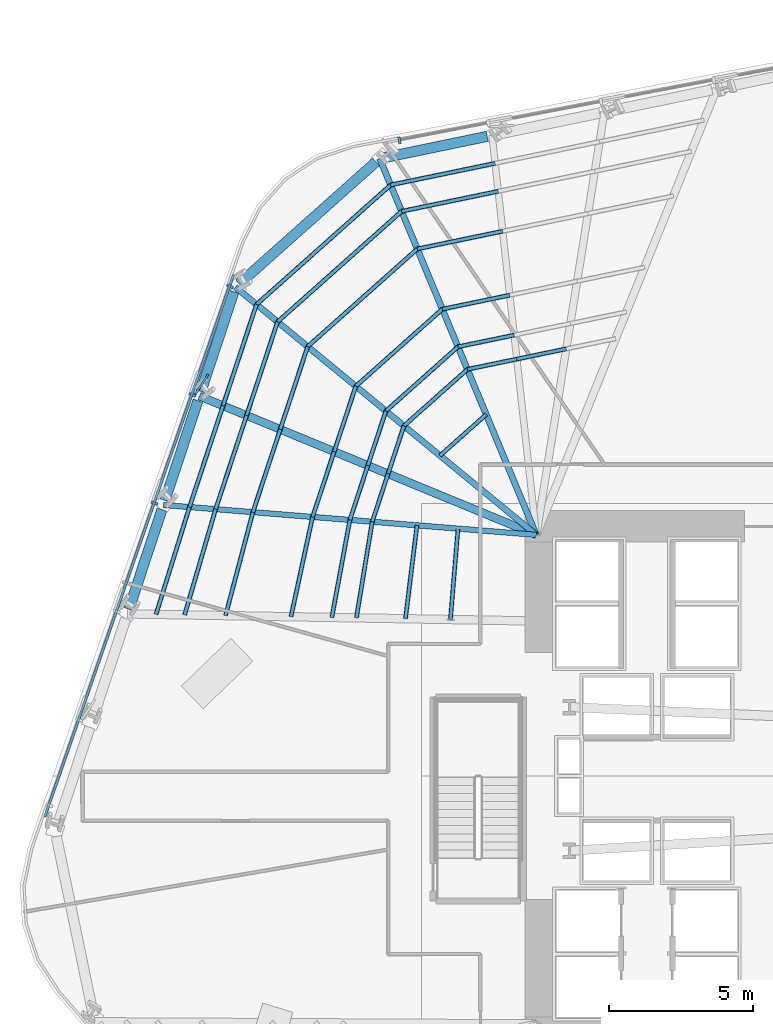
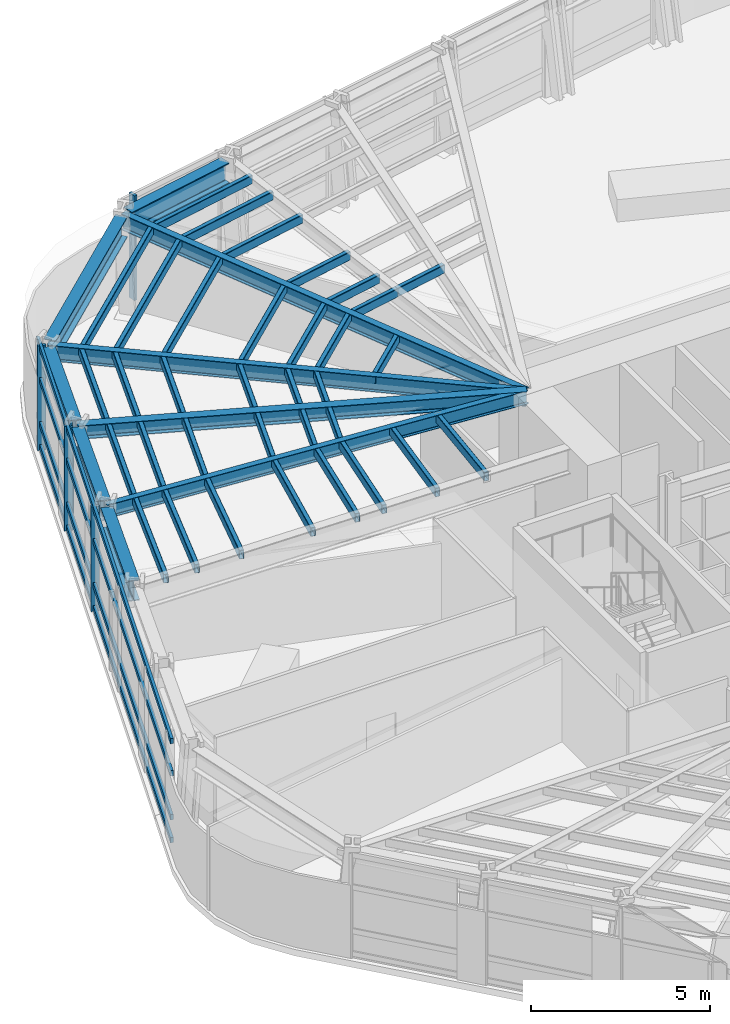
# One storey, part 5 of 18: 43 members, 9 beams, 2 elements without a shape of their own.
"""IFC4 building model written with IfcOpenShell, lengths in metres."""

import ifcopenshell
import ifcopenshell.guid

model = None  # the IFC model being written
_history = None  # IfcOwnerHistory: only IFC2X3 demands one
_inside = {}  # id of a spatial element -> (the spatial element, [elements in it])
_under = {}  # id of a project, library or spatial element -> (it, [spatial elements below it])
_declared = {}  # id of a project -> (the project, [libraries it declares])
_typed = {}  # id of a type object -> (the type object, [elements of that type])
_made_of = {}  # id of a material, layer set ... -> (it, [elements and type objects made of it])


def new_model(schema):
    """Start an empty IFC model of exactly this schema.

    Asked for "IFC4X3", IfcOpenShell would pick the latest addendum, in which some entities
    have other attributes; the version numbers below select the first issue.
    IFC2X3 requires an IfcOwnerHistory on every rooted entity: one is made here for all.
    """
    global model, _history
    if schema == "IFC4X3":
        model = ifcopenshell.file(schema_version=(4, 3, 0, 0))
    else:
        model = ifcopenshell.file(schema=schema)
    _inside.clear()
    _under.clear()
    _declared.clear()
    _typed.clear()
    _made_of.clear()
    _history = None
    if model.schema == "IFC2X3":
        org = make("IfcOrganization", Name="unknown")
        user = make(
            "IfcPersonAndOrganization",
            ThePerson=make("IfcPerson", FamilyName="unknown"),
            TheOrganization=org,
        )
        app = make(
            "IfcApplication",
            ApplicationDeveloper=org,
            Version="unknown",
            ApplicationFullName="unknown",
            ApplicationIdentifier="unknown",
        )
        _history = make(
            "IfcOwnerHistory",
            OwningUser=user,
            OwningApplication=app,
            ChangeAction="ADDED",
            CreationDate=0,
        )
    return model


def make(cls, **values):
    """One entity of the class cls with the attributes given. An attribute that is None is left unset."""
    return model.create_entity(
        cls, **{name: value for name, value in values.items() if value is not None}
    )


def rooted(cls, **values):
    """An entity with a GlobalId (a new one), such as an element, a storey or a relation."""
    return make(cls, GlobalId=ifcopenshell.guid.new(), OwnerHistory=_history, **values)


def si_unit(unit_type, name, prefix=None):
    """IfcSIUnit, for example si_unit("LENGTHUNIT", "METRE", prefix="MILLI")."""
    return make("IfcSIUnit", UnitType=unit_type, Prefix=prefix, Name=name)


def assignment(units):
    """IfcUnitAssignment: the units of a project."""
    return None if units is None else make("IfcUnitAssignment", Units=units)


def point(xyz):
    """IfcCartesianPoint."""
    return None if xyz is None else make("IfcCartesianPoint", Coordinates=xyz)


def direction(xyz):
    """IfcDirection."""
    return None if xyz is None else make("IfcDirection", DirectionRatios=xyz)


def frame(location, z_axis=None, x_axis=None):
    """IfcAxis2Placement3D, a coordinate frame: its origin and axes. An axis left out is left unset."""
    return make(
        "IfcAxis2Placement3D",
        Location=point(location),
        Axis=direction(z_axis),
        RefDirection=direction(x_axis),
    )


def frame_2d(location, x_axis=None):
    """IfcAxis2Placement2D, a coordinate frame in the plane: its origin and x axis."""
    return make(
        "IfcAxis2Placement2D", Location=point(location), RefDirection=direction(x_axis)
    )


def origin():
    """The frame at (0, 0, 0) with its axes left unset."""
    return frame((0.0, 0.0, 0.0))


def origin_2d():
    """The frame at (0, 0) in the plane with its x axis left unset."""
    return frame_2d((0.0, 0.0))


def place(relative_to, where):
    """IfcLocalPlacement: puts the frame where relative to a parent placement (None: the world)."""
    return make(
        "IfcLocalPlacement", PlacementRelTo=relative_to, RelativePlacement=where
    )


def context(
    kind, dimensions, precision=None, world=None, true_north=None, identifier=None
):
    """IfcGeometricRepresentationContext, for example the 3D "Model" context."""
    return make(
        "IfcGeometricRepresentationContext",
        ContextIdentifier=identifier,
        ContextType=kind,
        CoordinateSpaceDimension=dimensions,
        Precision=precision,
        WorldCoordinateSystem=world,
        TrueNorth=true_north,
    )


def subcontext(parent, identifier, kind, view, scale=None):
    """IfcGeometricRepresentationSubContext, for example "Body" below "Model"."""
    return make(
        "IfcGeometricRepresentationSubContext",
        ContextIdentifier=identifier,
        ContextType=kind,
        ParentContext=parent,
        TargetScale=scale,
        TargetView=view,
    )


def project(units=None, contexts=None):
    """IfcProject with its units and contexts."""
    return rooted(
        "IfcProject",
        Name="project",
        RepresentationContexts=contexts,
        UnitsInContext=assignment(units),
    )


def spatial(cls, under=None, at=None, **own):
    """A site, building, storey or space (cls), placed at a placement, below another one or the project."""
    s = rooted(cls, ObjectPlacement=at, **own)
    if under is not None:
        _under.setdefault(under.id(), (under, []))[1].append(s)
    return s


def profile(cls, at=None, kind="AREA", **sizes):
    """A parametric profile (cls). Its sizes go by their IFC names, for example OverallWidth=200.0."""
    return make(cls, ProfileType=kind, Position=at, **sizes)


def rectangle(**sizes):
    """IfcRectangleProfileDef."""
    return profile("IfcRectangleProfileDef", **sizes)


def hollow_rectangle(**sizes):
    """IfcRectangleHollowProfileDef."""
    return profile("IfcRectangleHollowProfileDef", **sizes)


def i_section(**sizes):
    """IfcIShapeProfileDef."""
    return profile("IfcIShapeProfileDef", **sizes)


def extrude(swept, where, along, depth):
    """IfcExtrudedAreaSolid: the profile swept, set in the frame where, extruded along a direction by depth."""
    return make(
        "IfcExtrudedAreaSolid",
        SweptArea=swept,
        Position=where,
        ExtrudedDirection=direction(along),
        Depth=depth,
    )


def shape(context_of_items, identifier, shape_type, items):
    """IfcShapeRepresentation: the items that make up one representation, for example the "Body"."""
    return make(
        "IfcShapeRepresentation",
        ContextOfItems=context_of_items,
        RepresentationIdentifier=identifier,
        RepresentationType=shape_type,
        Items=items,
    )


def material(Name=None, Category=None):
    """IfcMaterial."""
    return make("IfcMaterial", Name=Name, Category=Category)


def layer(
    of_material, thickness, ventilated=None, Name=None, Category=None, Priority=None
):
    """IfcMaterialLayer: one layer of a wall or slab, of a material (None: an air gap)."""
    return make(
        "IfcMaterialLayer",
        Material=of_material,
        LayerThickness=thickness,
        IsVentilated=ventilated,
        Name=Name,
        Category=Category,
        Priority=Priority,
    )


def layer_set(layers, Name=None):
    """IfcMaterialLayerSet."""
    return make("IfcMaterialLayerSet", MaterialLayers=layers, LayerSetName=Name)


def material_profile(
    of_material, cross_section, Name=None, Category=None, Priority=None
):
    """IfcMaterialProfile: a cross section and its material."""
    return make(
        "IfcMaterialProfile",
        Name=Name,
        Material=of_material,
        Profile=cross_section,
        Priority=Priority,
        Category=Category,
    )


def profile_set(profiles, Name=None, composite=None):
    """IfcMaterialProfileSet."""
    return make(
        "IfcMaterialProfileSet",
        Name=Name,
        MaterialProfiles=profiles,
        CompositeProfile=composite,
    )


def made_of(thing, what):
    """Note that an element or type object is made of a material, layer set ...; save() writes the relation."""
    if what is not None:
        _made_of.setdefault(what.id(), (what, []))[1].append(thing)
    return thing


def type_object(cls, material=None, **own):
    """A type object (cls), such as IfcWallType, which elements share."""
    return made_of(rooted(cls, **own), material)


def element(
    cls,
    number,
    at=None,
    inside=None,
    cuts=None,
    type_object=None,
    material=None,
    context=None,
    identifier="Body",
    shape_type=None,
    held_by="IfcProductDefinitionShape",
    body=None,
    shapes=None,
    **own,
):
    """One element of the class cls, such as IfcWall. Its Tag is "e" and its number.

    at: its placement. inside: the storey or other place that contains it. cuts: it is an
    opening in that element (IfcRelVoidsElement). A single representation is given by context,
    identifier, shape_type and body (its items); several are given by shapes. held_by: the class
    of the entity that holds the representations. save() writes the other relations.
    """
    e = rooted(cls, Tag="e%d" % number, ObjectPlacement=at, **own)
    if body is not None:
        shapes = [shape(context, identifier, shape_type, body)]
    if shapes is not None:
        e.Representation = make(held_by, Representations=shapes)
    if inside is not None:
        _inside.setdefault(inside.id(), (inside, []))[1].append(e)
    if cuts is not None:
        rooted(
            "IfcRelVoidsElement", RelatingBuildingElement=cuts, RelatedOpeningElement=e
        )
    if type_object is not None:
        _typed.setdefault(type_object.id(), (type_object, []))[1].append(e)
    return made_of(e, material)


def aggregate(whole, parts):
    """IfcRelAggregates: a whole, such as a stair, and the parts it consists of."""
    return rooted("IfcRelAggregates", RelatingObject=whole, RelatedObjects=parts)


def save(model, path):
    """Write the relations noted so far, then the file.

    IfcRelAggregates (storeys below a building ...), IfcRelContainedInSpatialStructure (elements
    in a storey), IfcRelDefinesByType, IfcRelAssociatesMaterial and IfcRelDeclares: one each for
    every whole, place, type object, material and project.
    """
    for whole, parts in _under.values():
        aggregate(whole, parts)
    for where, things in _inside.values():
        rooted(
            "IfcRelContainedInSpatialStructure",
            RelatedElements=things,
            RelatingStructure=where,
        )
    for kind, things in _typed.values():
        rooted("IfcRelDefinesByType", RelatedObjects=things, RelatingType=kind)
    for what, things in _made_of.values():
        rooted("IfcRelAssociatesMaterial", RelatedObjects=things, RelatingMaterial=what)
    for by, libraries in _declared.values():
        rooted("IfcRelDeclares", RelatingContext=by, RelatedDefinitions=libraries)
    model.write(path)


model = new_model("IFC4")

# Units and contexts
model_context = context("Model", 3, precision=1e-05, world=origin(), true_north=direction((0.0, 1.0)))
body_context = subcontext(model_context, "Body", "Model", "MODEL_VIEW")
ifc_project = project(units=[si_unit("LENGTHUNIT", "METRE"), si_unit("AREAUNIT", "SQUARE_METRE"), si_unit("VOLUMEUNIT", "CUBIC_METRE"), si_unit("PLANEANGLEUNIT", "RADIAN"), si_unit("MASSUNIT", "GRAM", prefix="KILO")], contexts=[model_context])

# Site, building, storey
site_placement = place(None, origin())
site = spatial("IfcSite", under=ifc_project, at=site_placement, CompositionType="ELEMENT")
building_placement = place(site_placement, origin())
building = spatial("IfcBuilding", under=site, at=building_placement, Name="Valkerne Bourse Tower", CompositionType="ELEMENT")
storey_placement = place(building_placement, frame((0.0, 0.0, 69.60009765625)))
storey = spatial("IfcBuildingStorey", under=building, at=storey_placement, Name="L17", CompositionType="ELEMENT", Elevation=69.60009765625)

# Beams
ifc_material_1 = material(Name="Steel ASTM A992", Category="steel")
ifc_material_profile_1 = material_profile(ifc_material_1, i_section(OverallWidth=0.1904296875, OverallDepth=0.457275390625, WebThickness=0.009033203125, FlangeThickness=0.014404296875, FilletRadius=0.01513671875, at=origin_2d()), Name="W18X50")
ifc_profile_set_1 = profile_set([ifc_material_profile_1], Name="Steel ASTM A992")
beam_type_1 = type_object("IfcBeamType", Name="BM-W18X50", PredefinedType="JOIST", material=ifc_profile_set_1)
beam_1_placement = place(storey_placement, frame((24.610595703125, 36.44287109375, 3.351318359375), z_axis=(0.996792003728, -0.080035625222, 0.0), x_axis=(0.080035625222, 0.996792003728, 0.0)))
element("IfcBeam", 1, at=beam_1_placement, inside=storey, type_object=beam_type_1, Name="L17 Radial Composite Floor Beam 14", PredefinedType="JOIST", context=body_context, shape_type="SweptSolid", body=[
    extrude(i_section(OverallWidth=0.1904296875, OverallDepth=0.457275390625, WebThickness=0.009033203125, FlangeThickness=0.014404296875, FilletRadius=0.01513671875, at=origin_2d()), origin(), (0.0, 0.0, 1.0), 13.03125),
])
ifc_material_profile_2 = material_profile(ifc_material_1, i_section(OverallWidth=0.279296875, OverallDepth=0.46240234375, WebThickness=0.0107421875, FlangeThickness=0.017333984375, FilletRadius=0.017822265625, at=origin_2d()), Name="W18X76")
ifc_profile_set_2 = profile_set([ifc_material_profile_2], Name="Steel ASTM A992")
beam_type_2 = type_object("IfcBeamType", Name="BM-W18X76", PredefinedType="BEAM", material=ifc_profile_set_2)
beam_2_placement = place(storey_placement, frame((25.865234375, 40.23681640625, 3.348876953125), z_axis=(0.924541801985, -0.381080642885, 0.0), x_axis=(0.381080642885, 0.924541801985, 0.0)))
element("IfcBeam", 2, at=beam_2_placement, inside=storey, type_object=beam_type_2, Name="L17 Radial Composite Floor Beam 13", PredefinedType="BEAM", context=body_context, shape_type="SweptSolid", body=[
    extrude(i_section(OverallWidth=0.279296875, OverallDepth=0.46240234375, WebThickness=0.0107421875, FlangeThickness=0.017333984375, FilletRadius=0.017822265625, at=origin_2d()), origin(), (0.0, 0.0, 1.0), 12.692626953125),
])
ifc_material_profile_3 = material_profile(ifc_material_1, i_section(OverallWidth=0.209228515625, OverallDepth=0.533447265625, WebThickness=0.01025390625, FlangeThickness=0.015625, FilletRadius=0.017822265625, at=origin_2d()), Name="W21X62")
ifc_profile_set_3 = profile_set([ifc_material_profile_3], Name="Steel ASTM A992")
beam_type_3 = type_object("IfcBeamType", Name="BM-W21X62", PredefinedType="JOIST", material=ifc_profile_set_3)
beam_3_placement = place(storey_placement, frame((27.1201171875, 44.03076171875, 3.313232421875), z_axis=(0.771919853823, -0.635719859115, 0.0), x_axis=(0.635719859115, 0.771919853823, 0.0)))
element("IfcBeam", 3, at=beam_3_placement, inside=storey, type_object=beam_type_3, Name="L17 Radial Composite Floor Beam 12", PredefinedType="JOIST", context=body_context, shape_type="SweptSolid", body=[
    extrude(i_section(OverallWidth=0.209228515625, OverallDepth=0.533447265625, WebThickness=0.01025390625, FlangeThickness=0.015625, FilletRadius=0.017822265625, at=origin_2d()), origin(), (0.0, 0.0, 1.0), 13.576416015625),
])
ifc_material_profile_4 = material_profile(ifc_material_1, i_section(OverallWidth=0.2138671875, OverallDepth=0.548583984375, WebThickness=0.0146484375, FlangeThickness=0.023681640625, FilletRadius=0.017822265625, at=origin_2d()), Name="W21X93")
ifc_profile_set_4 = profile_set([ifc_material_profile_4], Name="Steel ASTM A992")
beam_type_4 = type_object("IfcBeamType", Name="BM-W21X93", PredefinedType="BEAM", material=ifc_profile_set_4)
beam_4_placement = place(storey_placement, frame((32.14404296875, 48.507080078125, 3.3056640625), z_axis=(0.384299116053, -0.923208638067, 0.0), x_axis=(0.923208638067, 0.384299116053, 0.0)))
element("IfcBeam", 4, at=beam_4_placement, inside=storey, type_object=beam_type_4, Name="L17 Radial Composite Floor Beam 11", PredefinedType="BEAM", context=body_context, shape_type="SweptSolid", body=[
    extrude(i_section(OverallWidth=0.2138671875, OverallDepth=0.548583984375, WebThickness=0.0146484375, FlangeThickness=0.023681640625, FilletRadius=0.017822265625, at=origin_2d()), origin(), (0.0, 0.0, 1.0), 14.197509765625),
])
ifc_material_profile_5 = material_profile(ifc_material_1, i_section(OverallWidth=0.358154296875, OverallDepth=0.7060546875, WebThickness=0.018310546875, FlangeThickness=0.0302734375, FilletRadius=0.02294921875, at=origin_2d()), Name="W27X178")
ifc_profile_set_5 = profile_set([ifc_material_profile_5], Name="Steel ASTM A992")
beam_type_5 = type_object("IfcBeamType", Name="BM-W27X178", PredefinedType="SPANDREL", material=ifc_profile_set_5)
beam_5_placement = place(storey_placement, frame((35.890625, 49.282958984375, 3.226806640625), z_axis=(-0.9792197396, -0.202802124193, 0.0), x_axis=(0.202802124193, -0.9792197396, 0.0)))
element("IfcBeam", 5, at=beam_5_placement, inside=storey, type_object=beam_type_5, Name="L17 Hexagonal Spandrel Ring Beam 10", PredefinedType="SPANDREL", context=body_context, shape_type="SweptSolid", body=[
    extrude(i_section(OverallWidth=0.358154296875, OverallDepth=0.7060546875, WebThickness=0.018310546875, FlangeThickness=0.0302734375, FilletRadius=0.02294921875, at=origin_2d()), origin(), (0.0, 0.0, 1.0), 3.656005859375),
])
beam_6_placement = place(storey_placement, frame((32.01708984375, 48.393798828125, 3.226806640625), z_axis=(-0.746649835567, -0.665217275068, 0.0), x_axis=(0.665217275068, -0.746649835567, 0.0)))
element("IfcBeam", 6, at=beam_6_placement, inside=storey, type_object=beam_type_5, Name="L17 Hexagonal Spandrel Ring Beam 11", PredefinedType="SPANDREL", context=body_context, shape_type="SweptSolid", body=[
    extrude(i_section(OverallWidth=0.358154296875, OverallDepth=0.7060546875, WebThickness=0.018310546875, FlangeThickness=0.0302734375, FilletRadius=0.02294921875, at=origin_2d()), origin(), (0.0, 0.0, 1.0), 6.388916015625),
])
for number, where, z_axis, x_axis, name in (
    (7, (27.066650390625, 43.869384765625, 3.226806640625), (-0.31398319058, -0.949428541826, 0.0), (0.949428541826, -0.31398319058, 0.0), "L17 Hexagonal Spandrel Ring Beam 12"),
    (8, (25.81201171875, 40.075439453125, 3.226806640625), (-0.31398319058, -0.949428541826, 0.0), (0.949428541826, -0.31398319058, 0.0), "L17 Hexagonal Spandrel Ring Beam 13"),
    (9, (24.55712890625, 36.281494140625, 3.226806640625), (-0.31398319058, -0.949428541826, 0.0), (0.949428541826, -0.31398319058, 0.0), "L17 Hexagonal Spandrel Ring Beam 14"),
):
    element("IfcBeam", number, at=place(storey_placement, frame(where, z_axis=z_axis, x_axis=x_axis)), inside=storey, type_object=beam_type_5, Name=name, PredefinedType="SPANDREL", context=body_context, shape_type="SweptSolid", body=[
        extrude(i_section(OverallWidth=0.358154296875, OverallDepth=0.7060546875, WebThickness=0.018310546875, FlangeThickness=0.0302734375, FilletRadius=0.02294921875, at=origin_2d()), origin(), (0.0, 0.0, 1.0), 3.656005859375),
    ])

# Curtain wall, member
ifc_material_2 = material(Name="Aluminium AA 6063-T6", Category="aluminium")
ifc_layer = layer(ifc_material_2, 0.22509765625)
ifc_layer_set = layer_set([ifc_layer], Name="Aluminium AA 6063-T6")
curtain_wall_type = type_object("IfcCurtainWallType", Name="CW-01", PredefinedType="NOTDEFINED", material=ifc_layer_set)
curtain_wall_1_placement = place(storey_placement, origin())
curtain_wall_1 = element("IfcCurtainWall", 10, at=curtain_wall_1_placement, inside=storey, type_object=curtain_wall_type, Name="L17 Hexagonal Stick Curtain Wall Face 2", PredefinedType="NOTDEFINED")
ifc_material_profile_6 = material_profile(ifc_material_2, rectangle(XDim=0.090087890625, YDim=0.239990234375, at=origin_2d()), Name="CWM-90X240")
ifc_profile_set_6 = profile_set([ifc_material_profile_6], Name="Aluminium AA 6063-T6")
member_type_1 = type_object("IfcMemberType", Name="CW-MUL-240X90", PredefinedType="MULLION", material=ifc_profile_set_6)
member_1_placement = place(storey_placement, frame((32.83251953125, 49.147216796875, 0.0), z_axis=(0.0, 0.0, 1.0), x_axis=(-0.982285958477, -0.187388088679, 0.0)))
member_1 = element("IfcMember", 11, at=member_1_placement, type_object=member_type_1, Name="CW-L17-F2 Jamb Mullion 04B", PredefinedType="MULLION", context=body_context, shape_type="SweptSolid", body=[
    extrude(rectangle(XDim=0.090087890625, YDim=0.239990234375, at=origin_2d()), origin(), (0.0, 0.0, 1.0), 3.579833984375),
])
aggregate(curtain_wall_1, [member_1])

# Curtain wall, members
curtain_wall_2_placement = place(storey_placement, origin())
curtain_wall_2 = element("IfcCurtainWall", 12, at=curtain_wall_2_placement, inside=storey, type_object=curtain_wall_type, Name="L17 Hexagonal Stick Curtain Wall Face 3", PredefinedType="NOTDEFINED")
member_2_placement = place(storey_placement, frame((26.9306640625, 44.052978515625, 0.0), z_axis=(0.0, 0.0, 1.0), x_axis=(-0.328857411624, -0.944379586194, 0.0)))
member_2 = element("IfcMember", 13, at=member_2_placement, type_object=member_type_1, Name="CW-L17-F3 Jamb Mullion 00A", PredefinedType="MULLION", context=body_context, shape_type="SweptSolid", body=[
    extrude(rectangle(XDim=0.090087890625, YDim=0.239990234375, at=origin_2d()), origin(), (0.0, 0.0, 1.0), 3.579833984375),
])
member_3_placement = place(storey_placement, frame((25.61669921875, 40.279296875, 0.0), z_axis=(0.0, 0.0, 1.0), x_axis=(-0.328879730217, -0.944371813987, 0.0)))
member_3 = element("IfcMember", 14, at=member_3_placement, type_object=member_type_1, Name="CW-L17-F3 Jamb Mullion 01A", PredefinedType="MULLION", context=body_context, shape_type="SweptSolid", body=[
    extrude(rectangle(XDim=0.090087890625, YDim=0.239990234375, at=origin_2d()), origin(), (0.0, 0.0, 1.0), 3.579833984375),
])
member_4_placement = place(storey_placement, frame((24.302490234375, 36.505615234375, 0.0), z_axis=(0.0, 0.0, 1.0), x_axis=(-0.328849639785, -0.944382292514, 0.0)))
member_4 = element("IfcMember", 15, at=member_4_placement, type_object=member_type_1, Name="CW-L17-F3 Jamb Mullion 02A", PredefinedType="MULLION", context=body_context, shape_type="SweptSolid", body=[
    extrude(rectangle(XDim=0.090087890625, YDim=0.239990234375, at=origin_2d()), origin(), (0.0, 0.0, 1.0), 3.579833984375),
])
ifc_material_profile_7 = material_profile(ifc_material_2, rectangle(XDim=0.090087890625, YDim=0.179931640625, at=origin_2d()), Name="CWT-90X180")
ifc_profile_set_7 = profile_set([ifc_material_profile_7], Name="Aluminium AA 6063-T6")
member_type_2 = type_object("IfcMemberType", Name="CW-TRN-180X90", PredefinedType="USERDEFINED", material=ifc_profile_set_7)
member_5_placement = place(storey_placement, frame((27.0498046875, 44.4560546875, 0.119873046875), z_axis=(-0.328857571892, -0.944379530385, 0.0), x_axis=(0.944379530385, -0.328857571892, 0.0)))
member_5 = element("IfcMember", 16, at=member_5_placement, type_object=member_type_2, Name="CW-L17-F3 Continuous Face Transom 1", ObjectType="TRANSOM", PredefinedType="USERDEFINED", context=body_context, shape_type="SweptSolid", body=[
    extrude(rectangle(XDim=0.090087890625, YDim=0.179931640625, at=origin_2d()), origin(), (0.0, 0.0, 1.0), 19.97998046875),
])
member_6_placement = place(storey_placement, frame((27.0498046875, 44.4560546875, 0.89990234375), z_axis=(-0.328857571892, -0.944379530385, 0.0), x_axis=(0.944379530385, -0.328857571892, 0.0)))
member_6 = element("IfcMember", 17, at=member_6_placement, type_object=member_type_2, Name="CW-L17-F3 Continuous Face Transom 2", ObjectType="TRANSOM", PredefinedType="USERDEFINED", context=body_context, shape_type="SweptSolid", body=[
    extrude(rectangle(XDim=0.090087890625, YDim=0.179931640625, at=origin_2d()), origin(), (0.0, 0.0, 1.0), 19.97998046875),
])
member_7_placement = place(storey_placement, frame((27.0498046875, 44.4560546875, 2.39990234375), z_axis=(-0.328857571892, -0.944379530385, 0.0), x_axis=(0.944379530385, -0.328857571892, 0.0)))
member_7 = element("IfcMember", 18, at=member_7_placement, type_object=member_type_2, Name="CW-L17-F3 Continuous Face Transom 3", ObjectType="TRANSOM", PredefinedType="USERDEFINED", context=body_context, shape_type="SweptSolid", body=[
    extrude(rectangle(XDim=0.090087890625, YDim=0.179931640625, at=origin_2d()), origin(), (0.0, 0.0, 1.0), 19.97998046875),
])
member_8_placement = place(storey_placement, frame((27.0498046875, 44.4560546875, 3.5), z_axis=(-0.328857571892, -0.944379530385, 0.0), x_axis=(0.944379530385, -0.328857571892, 0.0)))
member_8 = element("IfcMember", 19, at=member_8_placement, type_object=member_type_2, Name="CW-L17-F3 Continuous Face Transom 4", ObjectType="TRANSOM", PredefinedType="USERDEFINED", context=body_context, shape_type="SweptSolid", body=[
    extrude(rectangle(XDim=0.090087890625, YDim=0.179931640625, at=origin_2d()), origin(), (0.0, 0.0, 1.0), 19.97998046875),
])
aggregate(curtain_wall_2, [member_5, member_6, member_7, member_8, member_2, member_3, member_4])

# Members
ifc_material_3 = material(Name="Bronze Anodised Aluminium AA 6063-T6", Category="aluminium")
ifc_material_profile_8 = material_profile(ifc_material_3, rectangle(XDim=0.070068359375, YDim=0.89990234375, at=origin_2d()), Name="FIN-70X900")
ifc_profile_set_8 = profile_set([ifc_material_profile_8], Name="Bronze Anodised Aluminium AA 6063-T6")
member_type_3 = type_object("IfcMemberType", Name="FIN-SOLAR-900", PredefinedType="USERDEFINED", material=ifc_profile_set_8)
member_9_placement = place(storey_placement, frame((25.9248046875, 40.61669921875, 0.00390625), z_axis=(0.0, 0.0, 1.0), x_axis=(-0.837563623822, 0.546339799072, 0.0)))
element("IfcMember", 20, at=member_9_placement, inside=storey, type_object=member_type_3, Name="L17 Bronze Anodised Solar Fin F3-01", ObjectType="SOLAR_FIN", PredefinedType="USERDEFINED", context=body_context, shape_type="SweptSolid", body=[
    extrude(rectangle(XDim=0.070068359375, YDim=0.89990234375, at=origin_2d()), origin(), (0.0, 0.0, 1.0), 3.572021484375),
])
ifc_material_4 = material(Name="Steel ASTM A500 Grade C", Category="steel")
ifc_material_profile_9 = material_profile(ifc_material_4, hollow_rectangle(XDim=0.14990234375, YDim=0.300048828125, WallThickness=0.012451171875, OuterFilletRadius=0.02490234375, at=origin_2d()), Name="HSS300X150X12.5")
ifc_profile_set_9 = profile_set([ifc_material_profile_9], Name="Steel ASTM A500 Grade C")
member_type_4 = type_object("IfcMemberType", Name="MBR-HSS300X150X12.5", PredefinedType="PURLIN", material=ifc_profile_set_9)
member_10_placement = place(storey_placement, frame((35.85400390625, 39.59423828125, 3.419921875), z_axis=(-0.746639364221, -0.665229028077, 0.0), x_axis=(0.665229028077, -0.746639364221, 0.0)))
element("IfcMember", 21, at=member_10_placement, inside=storey, type_object=member_type_4, Name="L17 Secondary Composite Floor Purlin I-11", PredefinedType="PURLIN", context=body_context, shape_type="SweptSolid", body=[
    extrude(hollow_rectangle(XDim=0.14990234375, YDim=0.300048828125, WallThickness=0.012451171875, OuterFilletRadius=0.02490234375, at=origin_2d()), origin(), (0.0, 0.0, 1.0), 2.1533203125),
])
member_11_placement = place(storey_placement, frame((33.443359375, 35.733642578125, 3.419921875), z_axis=(-0.122421530143, -0.992478195709, 0.0), x_axis=(0.992478195709, -0.122421530143, 0.0)))
element("IfcMember", 22, at=member_11_placement, inside=storey, type_object=member_type_4, Name="L17 Secondary Composite Floor Purlin I-14", PredefinedType="PURLIN", context=body_context, shape_type="SweptSolid", body=[
    extrude(hollow_rectangle(XDim=0.14990234375, YDim=0.300048828125, WallThickness=0.012451171875, OuterFilletRadius=0.02490234375, at=origin_2d()), origin(), (0.0, 0.0, 1.0), 3.278564453125),
])
for number, where, z_axis, x_axis, name in (
    (23, (38.642822265625, 41.880126953125, 3.419921875), (-0.979233810936, -0.202734169592, 0.0), (0.202734169592, -0.979233810936, 0.0), "L17 Secondary Composite Floor Purlin K-09"),
    (24, (36.921142578125, 41.523681640625, 3.419921875), (-0.97920623579, -0.202867315725, 0.0), (0.202867315725, -0.97920623579, 0.0), "L17 Secondary Composite Floor Purlin K-10"),
):
    element("IfcMember", number, at=place(storey_placement, frame(where, z_axis=z_axis, x_axis=x_axis)), inside=storey, type_object=member_type_4, Name=name, PredefinedType="PURLIN", context=body_context, shape_type="SweptSolid", body=[
        extrude(hollow_rectangle(XDim=0.14990234375, YDim=0.300048828125, WallThickness=0.012451171875, OuterFilletRadius=0.02490234375, at=origin_2d()), origin(), (0.0, 0.0, 1.0), 1.75830078125),
    ])
member_12_placement = place(storey_placement, frame((35.199462890625, 41.1669921875, 3.419921875), z_axis=(-0.746667289729, -0.665197683737, 0.0), x_axis=(0.665197683737, -0.746667289729, 0.0)))
element("IfcMember", 25, at=member_12_placement, inside=storey, type_object=member_type_4, Name="L17 Secondary Composite Floor Purlin K-11", PredefinedType="PURLIN", context=body_context, shape_type="SweptSolid", body=[
    extrude(hollow_rectangle(XDim=0.14990234375, YDim=0.300048828125, WallThickness=0.012451171875, OuterFilletRadius=0.02490234375, at=origin_2d()), origin(), (0.0, 0.0, 1.0), 2.960693359375),
])
member_13_placement = place(storey_placement, frame((32.98876953125, 39.197509765625, 3.419921875), z_axis=(-0.31397723902, -0.949430510031, 0.0), x_axis=(0.949430510031, -0.31397723902, 0.0)))
element("IfcMember", 26, at=member_13_placement, inside=storey, type_object=member_type_4, Name="L17 Secondary Composite Floor Purlin K-12", PredefinedType="PURLIN", context=body_context, shape_type="SweptSolid", body=[
    extrude(hollow_rectangle(XDim=0.14990234375, YDim=0.300048828125, WallThickness=0.012451171875, OuterFilletRadius=0.02490234375, at=origin_2d()), origin(), (0.0, 0.0, 1.0), 1.758056640625),
])
member_14_placement = place(storey_placement, frame((32.436767578125, 37.5283203125, 3.419921875), z_axis=(-0.313935848124, -0.949444197024, 0.0), x_axis=(0.949444197024, -0.313935848124, 0.0)))
element("IfcMember", 27, at=member_14_placement, inside=storey, type_object=member_type_4, Name="L17 Secondary Composite Floor Purlin K-13", PredefinedType="PURLIN", context=body_context, shape_type="SweptSolid", body=[
    extrude(hollow_rectangle(XDim=0.14990234375, YDim=0.300048828125, WallThickness=0.012451171875, OuterFilletRadius=0.02490234375, at=origin_2d()), origin(), (0.0, 0.0, 1.0), 1.75830078125),
])
member_15_placement = place(storey_placement, frame((31.884765625, 35.85888671875, 3.419921875), z_axis=(-0.162684308324, -0.986678172367, 0.0), x_axis=(0.986678172367, -0.162684308324, 0.0)))
element("IfcMember", 28, at=member_15_placement, inside=storey, type_object=member_type_4, Name="L17 Secondary Composite Floor Purlin K-14", PredefinedType="PURLIN", context=body_context, shape_type="SweptSolid", body=[
    extrude(hollow_rectangle(XDim=0.14990234375, YDim=0.300048828125, WallThickness=0.012451171875, OuterFilletRadius=0.02490234375, at=origin_2d()), origin(), (0.0, 0.0, 1.0), 3.39453125),
])
member_16_placement = place(storey_placement, frame((36.82861328125, 42.358642578125, 3.419921875), z_axis=(-0.97923784225, -0.202714696817, 0.0), x_axis=(0.202714696817, -0.97923784225, 0.0)))
element("IfcMember", 29, at=member_16_placement, inside=storey, type_object=member_type_4, Name="L17 Secondary Composite Floor Purlin M-10", PredefinedType="PURLIN", context=body_context, shape_type="SweptSolid", body=[
    extrude(hollow_rectangle(XDim=0.14990234375, YDim=0.300048828125, WallThickness=0.012451171875, OuterFilletRadius=0.02490234375, at=origin_2d()), origin(), (0.0, 0.0, 1.0), 1.998046875),
])
member_17_placement = place(storey_placement, frame((34.8720703125, 41.95361328125, 3.419921875), z_axis=(-0.746608072787, -0.665264147275, 0.0), x_axis=(0.665264147275, -0.746608072787, 0.0)))
element("IfcMember", 30, at=member_17_placement, inside=storey, type_object=member_type_4, Name="L17 Secondary Composite Floor Purlin M-11", PredefinedType="PURLIN", context=body_context, shape_type="SweptSolid", body=[
    extrude(hollow_rectangle(XDim=0.14990234375, YDim=0.300048828125, WallThickness=0.012451171875, OuterFilletRadius=0.02490234375, at=origin_2d()), origin(), (0.0, 0.0, 1.0), 3.364501953125),
])
for number, where, z_axis, x_axis, name in (
    (31, (32.360107421875, 39.71533203125, 3.419921875), (-0.314027501758, -0.949413886637, 0.0), (0.949413886637, -0.314027501758, 0.0), "L17 Secondary Composite Floor Purlin M-12"),
    (32, (31.732666015625, 37.818359375, 3.419921875), (-0.314027501758, -0.949413886637, 0.0), (0.949413886637, -0.314027501758, 0.0), "L17 Secondary Composite Floor Purlin M-13"),
):
    element("IfcMember", number, at=place(storey_placement, frame(where, z_axis=z_axis, x_axis=x_axis)), inside=storey, type_object=member_type_4, Name=name, PredefinedType="PURLIN", context=body_context, shape_type="SweptSolid", body=[
        extrude(hollow_rectangle(XDim=0.14990234375, YDim=0.300048828125, WallThickness=0.012451171875, OuterFilletRadius=0.02490234375, at=origin_2d()), origin(), (0.0, 0.0, 1.0), 1.998046875),
    ])
member_18_placement = place(storey_placement, frame((31.105224609375, 35.92138671875, 3.419921875), z_axis=(-0.181633698848, -0.983366259053, 0.0), x_axis=(0.983366259053, -0.181633698848, 0.0)))
element("IfcMember", 33, at=member_18_placement, inside=storey, type_object=member_type_4, Name="L17 Secondary Composite Floor Purlin M-14", PredefinedType="PURLIN", context=body_context, shape_type="SweptSolid", body=[
    extrude(hollow_rectangle(XDim=0.14990234375, YDim=0.300048828125, WallThickness=0.012451171875, OuterFilletRadius=0.02490234375, at=origin_2d()), origin(), (0.0, 0.0, 1.0), 3.454345703125),
])
member_19_placement = place(storey_placement, frame((36.427490234375, 45.977294921875, 3.419921875), z_axis=(-0.97921584743, -0.202820916433, 0.0), x_axis=(0.202820916433, -0.97921584743, 0.0)))
element("IfcMember", 34, at=member_19_placement, inside=storey, type_object=member_type_4, Name="L17 Secondary Composite Floor Purlin O-10", PredefinedType="PURLIN", context=body_context, shape_type="SweptSolid", body=[
    extrude(hollow_rectangle(XDim=0.14990234375, YDim=0.300048828125, WallThickness=0.012451171875, OuterFilletRadius=0.02490234375, at=origin_2d()), origin(), (0.0, 0.0, 1.0), 3.037109375),
])
member_20_placement = place(storey_placement, frame((33.45361328125, 45.361328125, 3.419921875), z_axis=(-0.746631820548, -0.665237494843, 0.0), x_axis=(0.665237494843, -0.746631820548, 0.0)))
element("IfcMember", 35, at=member_20_placement, inside=storey, type_object=member_type_4, Name="L17 Secondary Composite Floor Purlin O-11", PredefinedType="PURLIN", context=body_context, shape_type="SweptSolid", body=[
    extrude(hollow_rectangle(XDim=0.14990234375, YDim=0.300048828125, WallThickness=0.012451171875, OuterFilletRadius=0.02490234375, at=origin_2d()), origin(), (0.0, 0.0, 1.0), 5.114013671875),
])
for number, where, z_axis, x_axis, name in (
    (36, (29.63525390625, 41.959228515625, 3.419921875), (-0.314008103463, -0.949420302585, 0.0), (0.949420302585, -0.314008103463, 0.0), "L17 Secondary Composite Floor Purlin O-12"),
    (37, (28.681640625, 39.075927734375, 3.419921875), (-0.314008103463, -0.949420302585, 0.0), (0.949420302585, -0.314008103463, 0.0), "L17 Secondary Composite Floor Purlin O-13"),
):
    element("IfcMember", number, at=place(storey_placement, frame(where, z_axis=z_axis, x_axis=x_axis)), inside=storey, type_object=member_type_4, Name=name, PredefinedType="PURLIN", context=body_context, shape_type="SweptSolid", body=[
        extrude(hollow_rectangle(XDim=0.14990234375, YDim=0.300048828125, WallThickness=0.012451171875, OuterFilletRadius=0.02490234375, at=origin_2d()), origin(), (0.0, 0.0, 1.0), 3.036865234375),
    ])
member_21_placement = place(storey_placement, frame((27.72802734375, 36.192626953125, 3.419921875), z_axis=(-0.255827751963, -0.966722380689, 0.0), x_axis=(0.966722380689, -0.255827751963, 0.0)))
element("IfcMember", 38, at=member_21_placement, inside=storey, type_object=member_type_4, Name="L17 Secondary Composite Floor Purlin O-14", PredefinedType="PURLIN", context=body_context, shape_type="SweptSolid", body=[
    extrude(hollow_rectangle(XDim=0.14990234375, YDim=0.300048828125, WallThickness=0.012451171875, OuterFilletRadius=0.02490234375, at=origin_2d()), origin(), (0.0, 0.0, 1.0), 3.7275390625),
])
member_22_placement = place(storey_placement, frame((36.67431640625, 43.75048828125, 3.419921875), z_axis=(-0.979214418019, -0.202827817479, 0.0), x_axis=(0.202827817479, -0.979214418019, 0.0)))
element("IfcMember", 39, at=member_22_placement, inside=storey, type_object=member_type_4, Name="L17 Secondary Composite Floor Purlin Z-10", PredefinedType="PURLIN", context=body_context, shape_type="SweptSolid", body=[
    extrude(hollow_rectangle(XDim=0.14990234375, YDim=0.300048828125, WallThickness=0.012451171875, OuterFilletRadius=0.02490234375, at=origin_2d()), origin(), (0.0, 0.0, 1.0), 2.397705078125),
])
member_23_placement = place(storey_placement, frame((34.326416015625, 43.26416015625, 3.419921875), z_axis=(-0.746631446071, -0.665237915139, 0.0), x_axis=(0.665237915139, -0.746631446071, 0.0)))
element("IfcMember", 40, at=member_23_placement, inside=storey, type_object=member_type_4, Name="L17 Secondary Composite Floor Purlin Z-11", PredefinedType="PURLIN", context=body_context, shape_type="SweptSolid", body=[
    extrude(hollow_rectangle(XDim=0.14990234375, YDim=0.300048828125, WallThickness=0.012451171875, OuterFilletRadius=0.02490234375, at=origin_2d()), origin(), (0.0, 0.0, 1.0), 4.037353515625),
])
member_24_placement = place(storey_placement, frame((31.31201171875, 40.578369140625, 3.419921875), z_axis=(-0.314027501758, -0.949413886637, 0.0), x_axis=(0.949413886637, -0.314027501758, 0.0)))
element("IfcMember", 41, at=member_24_placement, inside=storey, type_object=member_type_4, Name="L17 Secondary Composite Floor Purlin Z-12", PredefinedType="PURLIN", context=body_context, shape_type="SweptSolid", body=[
    extrude(hollow_rectangle(XDim=0.14990234375, YDim=0.300048828125, WallThickness=0.012451171875, OuterFilletRadius=0.02490234375, at=origin_2d()), origin(), (0.0, 0.0, 1.0), 2.397705078125),
])
member_25_placement = place(storey_placement, frame((30.55908203125, 38.302001953125, 3.419921875), z_axis=(-0.313935713885, -0.94944424141, 0.0), x_axis=(0.94944424141, -0.313935713885, 0.0)))
element("IfcMember", 42, at=member_25_placement, inside=storey, type_object=member_type_4, Name="L17 Secondary Composite Floor Purlin Z-13", PredefinedType="PURLIN", context=body_context, shape_type="SweptSolid", body=[
    extrude(hollow_rectangle(XDim=0.14990234375, YDim=0.300048828125, WallThickness=0.012451171875, OuterFilletRadius=0.02490234375, at=origin_2d()), origin(), (0.0, 0.0, 1.0), 2.3974609375),
])
member_26_placement = place(storey_placement, frame((29.806396484375, 36.025634765625, 3.419921875), z_axis=(-0.211680137213, -0.977338999278, 0.0), x_axis=(0.977338999278, -0.211680137213, 0.0)))
element("IfcMember", 43, at=member_26_placement, inside=storey, type_object=member_type_4, Name="L17 Secondary Composite Floor Purlin Z-14", PredefinedType="PURLIN", context=body_context, shape_type="SweptSolid", body=[
    extrude(hollow_rectangle(XDim=0.14990234375, YDim=0.300048828125, WallThickness=0.012451171875, OuterFilletRadius=0.02490234375, at=origin_2d()), origin(), (0.0, 0.0, 1.0), 3.556884765625),
])
member_27_placement = place(storey_placement, frame((34.872314453125, 35.618896484375, 3.419921875), z_axis=(-0.082981892028, -0.996551055188, 0.0), x_axis=(0.996551055188, -0.082981892028, 0.0)))
element("IfcMember", 44, at=member_27_placement, inside=storey, type_object=member_type_4, Name="L17 Secondary Composite Floor Purlin S-14", PredefinedType="PURLIN", context=body_context, shape_type="SweptSolid", body=[
    extrude(hollow_rectangle(XDim=0.14990234375, YDim=0.300048828125, WallThickness=0.012451171875, OuterFilletRadius=0.02490234375, at=origin_2d()), origin(), (0.0, 0.0, 1.0), 3.177490234375),
])
member_28_placement = place(storey_placement, frame((36.273193359375, 47.368896484375, 3.419921875), z_axis=(-0.979230274945, -0.202751248164, 0.0), x_axis=(0.202751248164, -0.979230274945, 0.0)))
element("IfcMember", 45, at=member_28_placement, inside=storey, type_object=member_type_4, Name="L17 Secondary Composite Floor Purlin T-10", PredefinedType="PURLIN", context=body_context, shape_type="SweptSolid", body=[
    extrude(hollow_rectangle(XDim=0.14990234375, YDim=0.300048828125, WallThickness=0.012451171875, OuterFilletRadius=0.02490234375, at=origin_2d()), origin(), (0.0, 0.0, 1.0), 3.4365234375),
])
member_29_placement = place(storey_placement, frame((32.907958984375, 46.672119140625, 3.419921875), z_axis=(-0.746645365668, -0.665222292115, 0.0), x_axis=(0.665222292115, -0.746645365668, 0.0)))
element("IfcMember", 46, at=member_29_placement, inside=storey, type_object=member_type_4, Name="L17 Secondary Composite Floor Purlin T-11", PredefinedType="PURLIN", context=body_context, shape_type="SweptSolid", body=[
    extrude(hollow_rectangle(XDim=0.14990234375, YDim=0.300048828125, WallThickness=0.012451171875, OuterFilletRadius=0.02490234375, at=origin_2d()), origin(), (0.0, 0.0, 1.0), 5.786865234375),
])
member_30_placement = place(storey_placement, frame((28.587158203125, 42.822509765625, 3.419921875), z_axis=(-0.313925143808, -0.949447736363, 0.0), x_axis=(0.949447736363, -0.313925143808, 0.0)))
element("IfcMember", 47, at=member_30_placement, inside=storey, type_object=member_type_4, Name="L17 Secondary Composite Floor Purlin T-12", PredefinedType="PURLIN", context=body_context, shape_type="SweptSolid", body=[
    extrude(hollow_rectangle(XDim=0.14990234375, YDim=0.300048828125, WallThickness=0.012451171875, OuterFilletRadius=0.02490234375, at=origin_2d()), origin(), (0.0, 0.0, 1.0), 3.436767578125),
])
member_31_placement = place(storey_placement, frame((27.50830078125, 39.5595703125, 3.419921875), z_axis=(-0.314010359166, -0.949419556538, 0.0), x_axis=(0.949419556538, -0.314010359166, 0.0)))
element("IfcMember", 48, at=member_31_placement, inside=storey, type_object=member_type_4, Name="L17 Secondary Composite Floor Purlin T-13", PredefinedType="PURLIN", context=body_context, shape_type="SweptSolid", body=[
    extrude(hollow_rectangle(XDim=0.14990234375, YDim=0.300048828125, WallThickness=0.012451171875, OuterFilletRadius=0.02490234375, at=origin_2d()), origin(), (0.0, 0.0, 1.0), 3.4365234375),
])
member_32_placement = place(storey_placement, frame((26.42919921875, 36.296875, 3.419921875), z_axis=(-0.281184578976, -0.959653704492, 0.0), x_axis=(0.959653704492, -0.281184578976, 0.0)))
element("IfcMember", 49, at=member_32_placement, inside=storey, type_object=member_type_4, Name="L17 Secondary Composite Floor Purlin T-14", PredefinedType="PURLIN", context=body_context, shape_type="SweptSolid", body=[
    extrude(hollow_rectangle(XDim=0.14990234375, YDim=0.300048828125, WallThickness=0.012451171875, OuterFilletRadius=0.02490234375, at=origin_2d()), origin(), (0.0, 0.0, 1.0), 3.837646484375),
])
member_33_placement = place(storey_placement, frame((36.1650390625, 48.34326171875, 3.419921875), z_axis=(-0.97922130002, -0.202794589639, 0.0), x_axis=(0.202794589639, -0.97922130002, 0.0)))
element("IfcMember", 50, at=member_33_placement, inside=storey, type_object=member_type_4, Name="L17 Secondary Composite Floor Purlin U-10", PredefinedType="PURLIN", context=body_context, shape_type="SweptSolid", body=[
    extrude(hollow_rectangle(XDim=0.14990234375, YDim=0.300048828125, WallThickness=0.012451171875, OuterFilletRadius=0.02490234375, at=origin_2d()), origin(), (0.0, 0.0, 1.0), 3.71630859375),
])
member_34_placement = place(storey_placement, frame((32.52587890625, 47.589599609375, 3.419921875), z_axis=(-0.746625316042, -0.665244795128, 0.0), x_axis=(0.665244795128, -0.746625316042, 0.0)))
element("IfcMember", 51, at=member_34_placement, inside=storey, type_object=member_type_4, Name="L17 Secondary Composite Floor Purlin U-11", PredefinedType="PURLIN", context=body_context, shape_type="SweptSolid", body=[
    extrude(hollow_rectangle(XDim=0.14990234375, YDim=0.300048828125, WallThickness=0.012451171875, OuterFilletRadius=0.02490234375, at=origin_2d()), origin(), (0.0, 0.0, 1.0), 6.258056640625),
])
for number, where, z_axis, x_axis, name in (
    (52, (27.853515625, 43.426513671875, 3.419921875), (-0.313960357495, -0.949436092595, 0.0), (0.949436092595, -0.313960357495, 0.0), "L17 Secondary Composite Floor Purlin U-12"),
    (53, (26.686767578125, 39.898193359375, 3.419921875), (-0.313960357495, -0.949436092595, 0.0), (0.949436092595, -0.313960357495, 0.0), "L17 Secondary Composite Floor Purlin U-13"),
):
    element("IfcMember", number, at=place(storey_placement, frame(where, z_axis=z_axis, x_axis=x_axis)), inside=storey, type_object=member_type_4, Name=name, PredefinedType="PURLIN", context=body_context, shape_type="SweptSolid", body=[
        extrude(hollow_rectangle(XDim=0.14990234375, YDim=0.300048828125, WallThickness=0.012451171875, OuterFilletRadius=0.02490234375, at=origin_2d()), origin(), (0.0, 0.0, 1.0), 3.71630859375),
    ])
member_35_placement = place(storey_placement, frame((25.52001953125, 36.369873046875, 3.419921875), z_axis=(-0.297991005719, -0.954568677734, 0.0), x_axis=(0.954568677734, -0.297991005719, 0.0)))
element("IfcMember", 54, at=member_35_placement, inside=storey, type_object=member_type_4, Name="L17 Secondary Composite Floor Purlin U-14", PredefinedType="PURLIN", context=body_context, shape_type="SweptSolid", body=[
    extrude(hollow_rectangle(XDim=0.14990234375, YDim=0.300048828125, WallThickness=0.012451171875, OuterFilletRadius=0.02490234375, at=origin_2d()), origin(), (0.0, 0.0, 1.0), 3.916259765625),
])

save(model, "model.ifc")
